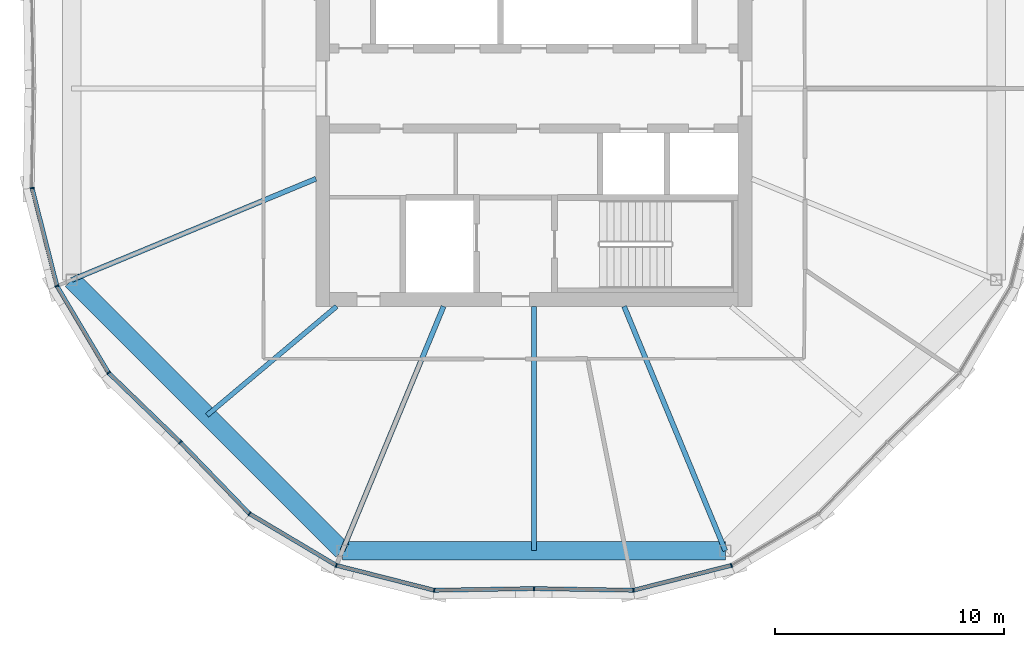
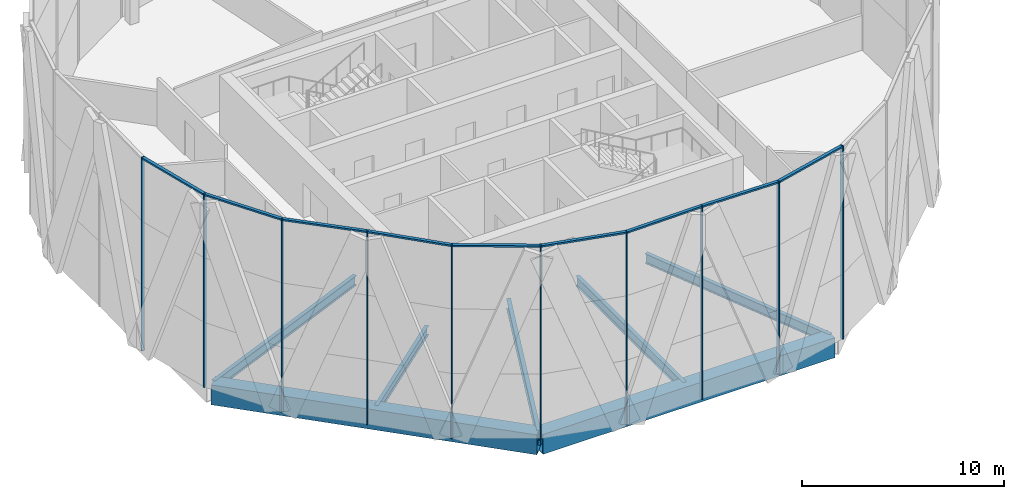
# One storey, part 3 of 23: 19 members, 7 beams, 3 elements without a shape of their own.
"""IFC4 building model written with IfcOpenShell, lengths in metres."""

from ifc_helpers import new_model, si_unit, direction, frame, origin, origin_2d, place, context, subcontext, project, spatial, rectangle, hollow_rectangle, i_section, extrude, material, material_profile, profile_set, type_object, element, aggregate, save


model = new_model("IFC4")

# Units and contexts
model_context = context("Model", 3, precision=1e-05, world=origin(), true_north=direction((0.0, 1.0)))
body_context = subcontext(model_context, "Body", "Model", "MODEL_VIEW")
ifc_project = project(units=[si_unit("LENGTHUNIT", "METRE"), si_unit("AREAUNIT", "SQUARE_METRE"), si_unit("VOLUMEUNIT", "CUBIC_METRE"), si_unit("PLANEANGLEUNIT", "RADIAN"), si_unit("MASSUNIT", "GRAM", prefix="KILO")], contexts=[model_context])

# Site, building, storey
site_placement = place(None, origin())
site = spatial("IfcSite", under=ifc_project, at=site_placement, CompositionType="ELEMENT")
building_placement = place(site_placement, origin())
building = spatial("IfcBuilding", under=site, at=building_placement, Name="Ogive Gate Towers", CompositionType="ELEMENT")
storey_placement = place(building_placement, frame((0.0, 0.0, 177.300048828125)))
storey = spatial("IfcBuildingStorey", under=building, at=storey_placement, Name="L42", CompositionType="ELEMENT", Elevation=177.300048828125)

# Beams
ifc_material_1 = material(Name="Steel SM460", Category="steel")
ifc_material_profile_1 = material_profile(ifc_material_1, hollow_rectangle(XDim=0.800048828125, YDim=1.199951171875, WallThickness=0.050048828125, at=origin_2d()), Name="BX 1200x800x50")
ifc_profile_set_1 = profile_set([ifc_material_profile_1], Name="Steel SM460")
beam_type_1 = type_object("IfcBeamType", Name="Edge girder BX 1200x800x50", PredefinedType="BEAM", material=ifc_profile_set_1)
beam_1_placement = place(storey_placement, frame((-56.14990234375, -8.346435546875, -0.900146484375), z_axis=(0.707106781187, -0.707106781187, 0.0), x_axis=(0.707106781187, 0.707106781187, 0.0)))
element("IfcBeam", 1, at=beam_1_placement, inside=storey, type_object=beam_type_1, Name="T1/L42/SBM017", PredefinedType="BEAM", context=body_context, shape_type="SweptSolid", body=[
    extrude(hollow_rectangle(XDim=0.800048828125, YDim=1.199951171875, WallThickness=0.050048828125, at=origin_2d()), origin(), (0.0, 0.0, 1.0), 16.692626953125),
])
beam_2_placement = place(storey_placement, frame((-44.346435546875, -20.14990234375, -0.900146484375), z_axis=(1.0, 0.0, 0.0), x_axis=(0.0, 1.0, 0.0)))
element("IfcBeam", 2, at=beam_2_placement, inside=storey, type_object=beam_type_1, Name="T1/L42/SBM018", PredefinedType="BEAM", context=body_context, shape_type="SweptSolid", body=[
    extrude(hollow_rectangle(XDim=0.800048828125, YDim=1.199951171875, WallThickness=0.050048828125, at=origin_2d()), origin(), (0.0, 0.0, 1.0), 16.69287109375),
])
ifc_material_2 = material(Name="Steel SM355", Category="steel")
ifc_material_profile_2 = material_profile(ifc_material_2, i_section(OverallWidth=0.2099609375, OverallDepth=0.550048828125, WebThickness=0.010986328125, FlangeThickness=0.01708984375, FilletRadius=0.02392578125, at=origin_2d()), Name="IPE 550")
ifc_profile_set_2 = profile_set([ifc_material_profile_2], Name="Steel SM355")
beam_type_2 = type_object("IfcBeamType", Name="Radial floor beam IPE 550", PredefinedType="BEAM", material=ifc_profile_set_2)
beam_3_placement = place(storey_placement, frame((-44.60009765625, -9.5, -0.574951171875), z_axis=(-0.76545320234, -0.643491565622, 0.0), x_axis=(0.643491565622, -0.76545320234, 0.0)))
element("IfcBeam", 3, at=beam_3_placement, inside=storey, type_object=beam_type_2, Name="T1/L42/SBM002", PredefinedType="BEAM", context=body_context, shape_type="SweptSolid", body=[
    extrude(i_section(OverallWidth=0.2099609375, OverallDepth=0.550048828125, WebThickness=0.010986328125, FlangeThickness=0.01708984375, FilletRadius=0.02392578125, at=origin_2d()), origin(), (0.0, 0.0, 1.0), 7.378662109375),
])
ifc_material_profile_3 = material_profile(ifc_material_2, i_section(OverallWidth=0.219970703125, OverallDepth=0.60009765625, WebThickness=0.011962890625, FlangeThickness=0.01904296875, FilletRadius=0.02392578125, at=origin_2d()), Name="IPE 600")
ifc_profile_set_3 = profile_set([ifc_material_profile_3], Name="Steel SM355")
beam_type_3 = type_object("IfcBeamType", Name="Radial floor beam IPE 600", PredefinedType="BEAM", material=ifc_profile_set_3)
for number, where, z_axis, x_axis, name in (
    (4, (-45.5, -3.93505859375, -0.60009765625), (-0.923878214756, -0.382686613691, 0.0), (0.382686613691, -0.923878214756, 0.0), "T1/L42/SBM001"),
    (5, (-39.93505859375, -9.5, -0.60009765625), (-0.382686613691, -0.923878214756, 0.0), (0.923878214756, -0.382686613691, 0.0), "T1/L42/SBM003"),
):
    element("IfcBeam", number, at=place(storey_placement, frame(where, z_axis=z_axis, x_axis=x_axis)), inside=storey, type_object=beam_type_3, Name=name, PredefinedType="BEAM", context=body_context, shape_type="SweptSolid", body=[
        extrude(i_section(OverallWidth=0.219970703125, OverallDepth=0.60009765625, WebThickness=0.011962890625, FlangeThickness=0.01904296875, FilletRadius=0.02392578125, at=origin_2d()), origin(), (0.0, 0.0, 1.0), 11.52734375),
    ])
beam_4_placement = place(storey_placement, frame((-36.0, -9.5, -0.60009765625), z_axis=(0.0, -1.0, 0.0), x_axis=(1.0, 0.0, 0.0)))
element("IfcBeam", 6, at=beam_4_placement, inside=storey, type_object=beam_type_3, Name="T1/L42/SBM004", PredefinedType="BEAM", context=body_context, shape_type="SweptSolid", body=[
    extrude(i_section(OverallWidth=0.219970703125, OverallDepth=0.60009765625, WebThickness=0.011962890625, FlangeThickness=0.01904296875, FilletRadius=0.02392578125, at=origin_2d()), origin(), (0.0, 0.0, 1.0), 10.64990234375),
])
beam_5_placement = place(storey_placement, frame((-32.06494140625, -9.5, -0.60009765625), z_axis=(0.382686613691, -0.923878214756, 0.0), x_axis=(0.923878214756, 0.382686613691, 0.0)))
element("IfcBeam", 7, at=beam_5_placement, inside=storey, type_object=beam_type_3, Name="T1/L42/SBM005", PredefinedType="BEAM", context=body_context, shape_type="SweptSolid", body=[
    extrude(i_section(OverallWidth=0.219970703125, OverallDepth=0.60009765625, WebThickness=0.011962890625, FlangeThickness=0.01904296875, FilletRadius=0.02392578125, at=origin_2d()), origin(), (0.0, 0.0, 1.0), 11.52734375),
])

# Curtain wall, members
ifc_material_3 = material(Name="Pale metal aluminium", Category="aluminium")
curtain_wall_type = type_object("IfcCurtainWallType", Name="Tower unitised wall, high zone", PredefinedType="NOTDEFINED", material=ifc_material_3)
curtain_wall_1_placement = place(storey_placement, origin())
curtain_wall_1 = element("IfcCurtainWall", 8, at=curtain_wall_1_placement, inside=storey, type_object=curtain_wall_type, Name="CW2 T1 ECW05", PredefinedType="NOTDEFINED")
ifc_material_profile_4 = material_profile(ifc_material_3, rectangle(XDim=0.179931640625, YDim=0.06005859375, at=origin_2d()), Name="60 x 180 aluminium box")
ifc_profile_set_4 = profile_set([ifc_material_profile_4], Name="Pale metal aluminium")
member_type_1 = type_object("IfcMemberType", Name="Tower unitised wall, high zone mullion 60 x 180", PredefinedType="MULLION", material=ifc_profile_set_4)
member_1_placement = place(storey_placement, frame((-57.87353515625, -4.343505859375, -0.300048828125), z_axis=(0.0, 0.0, 1.0), x_axis=(-0.993272085779, -0.115803987891, 0.0)))
member_1 = element("IfcMember", 9, at=member_1_placement, type_object=member_type_1, Name="CW2 mullion", PredefinedType="MULLION", context=body_context, shape_type="SweptSolid", body=[
    extrude(rectangle(XDim=0.179931640625, YDim=0.06005859375, at=origin_2d()), origin(), (0.0, 0.0, 1.0), 11.699951171875),
])
member_2_placement = place(storey_placement, frame((-56.788330078125, -8.61083984375, -0.300048828125), z_axis=(0.0, 0.0, 1.0), x_axis=(-0.923879532511, -0.382683432365, 0.0)))
member_2 = element("IfcMember", 10, at=member_2_placement, type_object=member_type_1, Name="CW2 mullion", PredefinedType="MULLION", context=body_context, shape_type="SweptSolid", body=[
    extrude(rectangle(XDim=0.179931640625, YDim=0.06005859375, at=origin_2d()), origin(), (0.0, 0.0, 1.0), 11.699951171875),
])
member_3_placement = place(storey_placement, frame((-54.538330078125, -12.3955078125, -0.300048828125), z_axis=(0.0, 0.0, 1.0), x_axis=(-0.784235212544, -0.620463642292, 0.0)))
member_3 = element("IfcMember", 11, at=member_3_placement, type_object=member_type_1, Name="CW2 mullion", PredefinedType="MULLION", context=body_context, shape_type="SweptSolid", body=[
    extrude(rectangle(XDim=0.179931640625, YDim=0.06005859375, at=origin_2d()), origin(), (0.0, 0.0, 1.0), 11.699951171875),
])
member_4_placement = place(storey_placement, frame((-51.4150390625, -15.414794921875, -0.300048828125), z_axis=(0.0, 0.0, 1.0), x_axis=(-0.69504746905, -0.71896384872, 0.0)))
member_4 = element("IfcMember", 12, at=member_4_placement, type_object=member_type_1, Name="CW2 mullion", PredefinedType="MULLION", context=body_context, shape_type="SweptSolid", body=[
    extrude(rectangle(XDim=0.179931640625, YDim=0.06005859375, at=origin_2d()), origin(), (0.0, 0.0, 1.0), 11.699951171875),
])

curtain_wall_2_placement = place(storey_placement, origin())
curtain_wall_2 = element("IfcCurtainWall", 13, at=curtain_wall_2_placement, inside=storey, type_object=curtain_wall_type, Name="CW2 T1 ECW06", PredefinedType="NOTDEFINED")
member_5_placement = place(storey_placement, frame((-48.3955078125, -18.538330078125, -0.300048828125), z_axis=(0.0, 0.0, 1.0), x_axis=(-0.620463642292, -0.784235212544, 0.0)))
member_5 = element("IfcMember", 14, at=member_5_placement, type_object=member_type_1, Name="CW2 mullion", PredefinedType="MULLION", context=body_context, shape_type="SweptSolid", body=[
    extrude(rectangle(XDim=0.179931640625, YDim=0.06005859375, at=origin_2d()), origin(), (0.0, 0.0, 1.0), 11.699951171875),
])
member_6_placement = place(storey_placement, frame((-44.61083984375, -20.788330078125, -0.300048828125), z_axis=(0.0, 0.0, 1.0), x_axis=(-0.382683432365, -0.923879532511, 0.0)))
member_6 = element("IfcMember", 15, at=member_6_placement, type_object=member_type_1, Name="CW2 mullion", PredefinedType="MULLION", context=body_context, shape_type="SweptSolid", body=[
    extrude(rectangle(XDim=0.179931640625, YDim=0.06005859375, at=origin_2d()), origin(), (0.0, 0.0, 1.0), 11.699951171875),
])
member_7_placement = place(storey_placement, frame((-40.343505859375, -21.87353515625, -0.300048828125), z_axis=(0.0, 0.0, 1.0), x_axis=(-0.115803987891, -0.993272085779, 0.0)))
member_7 = element("IfcMember", 16, at=member_7_placement, type_object=member_type_1, Name="CW2 mullion", PredefinedType="MULLION", context=body_context, shape_type="SweptSolid", body=[
    extrude(rectangle(XDim=0.179931640625, YDim=0.06005859375, at=origin_2d()), origin(), (0.0, 0.0, 1.0), 11.699951171875),
])
member_8_placement = place(storey_placement, frame((-36.000244140625, -21.800048828125, -0.300048828125), z_axis=(0.0, 0.0, 1.0), x_axis=(0.016911434246, -0.99985699147, 0.0)))
member_8 = element("IfcMember", 17, at=member_8_placement, type_object=member_type_1, Name="CW2 mullion", PredefinedType="MULLION", context=body_context, shape_type="SweptSolid", body=[
    extrude(rectangle(XDim=0.179931640625, YDim=0.06005859375, at=origin_2d()), origin(), (0.0, 0.0, 1.0), 11.699951171875),
])

curtain_wall_3_placement = place(storey_placement, origin())
curtain_wall_3 = element("IfcCurtainWall", 18, at=curtain_wall_3_placement, inside=storey, type_object=curtain_wall_type, Name="CW2 T1 ECW07", PredefinedType="NOTDEFINED")
member_9_placement = place(storey_placement, frame((-31.656494140625, -21.87353515625, -0.300048828125), z_axis=(0.0, 0.0, 1.0), x_axis=(0.115803987891, -0.993272085779, 0.0)))
member_9 = element("IfcMember", 19, at=member_9_placement, type_object=member_type_1, Name="CW2 mullion", PredefinedType="MULLION", context=body_context, shape_type="SweptSolid", body=[
    extrude(rectangle(XDim=0.179931640625, YDim=0.06005859375, at=origin_2d()), origin(), (0.0, 0.0, 1.0), 11.699951171875),
])
member_10_placement = place(storey_placement, frame((-27.38916015625, -20.788330078125, -0.300048828125), z_axis=(0.0, 0.0, 1.0), x_axis=(0.382683432365, -0.923879532511, 0.0)))
member_10 = element("IfcMember", 20, at=member_10_placement, type_object=member_type_1, Name="CW2 mullion", PredefinedType="MULLION", context=body_context, shape_type="SweptSolid", body=[
    extrude(rectangle(XDim=0.179931640625, YDim=0.06005859375, at=origin_2d()), origin(), (0.0, 0.0, 1.0), 11.699951171875),
])

# Member
ifc_material_profile_5 = material_profile(ifc_material_3, rectangle(XDim=0.179931640625, YDim=0.10009765625, at=origin_2d()), Name="100 x 180 aluminium box")
ifc_profile_set_5 = profile_set([ifc_material_profile_5], Name="Pale metal aluminium")
member_type_2 = type_object("IfcMemberType", Name="Tower unitised wall, high zone transom 100 x 180", PredefinedType="USERDEFINED", material=ifc_profile_set_5)
member_11_placement = place(storey_placement, frame((-57.866455078125, -4.37109375, 11.349853515625), z_axis=(0.246498942099, -0.969143060412, 0.0), x_axis=(0.969143060412, 0.246498942099, 0.0)))
member_11 = element("IfcMember", 21, at=member_11_placement, type_object=member_type_2, Name="CW2 transom", ObjectType="TRANSOM", PredefinedType="USERDEFINED", context=body_context, shape_type="SweptSolid", body=[
    extrude(rectangle(XDim=0.179931640625, YDim=0.10009765625, at=origin_2d()), origin(), (0.0, 0.0, 1.0), 4.345947265625),
])

member_12_placement = place(storey_placement, frame((-56.773681640625, -8.63525390625, 11.349853515625), z_axis=(0.511038375885, -0.859557897045, 0.0), x_axis=(0.859557897045, 0.511038375885, 0.0)))
member_12 = element("IfcMember", 22, at=member_12_placement, type_object=member_type_2, Name="CW2 transom", ObjectType="TRANSOM", PredefinedType="USERDEFINED", context=body_context, shape_type="SweptSolid", body=[
    extrude(rectangle(XDim=0.179931640625, YDim=0.10009765625, at=origin_2d()), origin(), (0.0, 0.0, 1.0), 4.345947265625),
])

member_13_placement = place(storey_placement, frame((-54.517578125, -12.41552734375, 11.349853515625), z_axis=(0.718969396477, -0.695041730351, 0.0), x_axis=(0.695041730351, 0.718969396477, 0.0)))
member_13 = element("IfcMember", 23, at=member_13_placement, type_object=member_type_2, Name="CW2 transom", ObjectType="TRANSOM", PredefinedType="USERDEFINED", context=body_context, shape_type="SweptSolid", body=[
    extrude(rectangle(XDim=0.179931640625, YDim=0.10009765625, at=origin_2d()), origin(), (0.0, 0.0, 1.0), 4.285400390625),
])

aggregate(curtain_wall_1, [member_1, member_2, member_11, member_3, member_12, member_4, member_13])

member_14_placement = place(storey_placement, frame((-51.39404296875, -15.4365234375, 11.349853515625), z_axis=(0.695041730351, -0.718969396477, 0.0), x_axis=(0.718969396477, 0.695041730351, 0.0)))
member_14 = element("IfcMember", 24, at=member_14_placement, type_object=member_type_2, Name="CW2 transom", ObjectType="TRANSOM", PredefinedType="USERDEFINED", context=body_context, shape_type="SweptSolid", body=[
    extrude(rectangle(XDim=0.179931640625, YDim=0.10009765625, at=origin_2d()), origin(), (0.0, 0.0, 1.0), 4.285400390625),
])

member_15_placement = place(storey_placement, frame((-48.370849609375, -18.552734375, 11.349853515625), z_axis=(0.859557897045, -0.511038375885, 0.0), x_axis=(0.511038375885, 0.859557897045, 0.0)))
member_15 = element("IfcMember", 25, at=member_15_placement, type_object=member_type_2, Name="CW2 transom", ObjectType="TRANSOM", PredefinedType="USERDEFINED", context=body_context, shape_type="SweptSolid", body=[
    extrude(rectangle(XDim=0.179931640625, YDim=0.10009765625, at=origin_2d()), origin(), (0.0, 0.0, 1.0), 4.345947265625),
])

member_16_placement = place(storey_placement, frame((-44.5830078125, -20.795166015625, 11.349853515625), z_axis=(0.969143060412, -0.246498942099, 0.0), x_axis=(0.246498942099, 0.969143060412, 0.0)))
member_16 = element("IfcMember", 26, at=member_16_placement, type_object=member_type_2, Name="CW2 transom", ObjectType="TRANSOM", PredefinedType="USERDEFINED", context=body_context, shape_type="SweptSolid", body=[
    extrude(rectangle(XDim=0.179931640625, YDim=0.10009765625, at=origin_2d()), origin(), (0.0, 0.0, 1.0), 4.345947265625),
])

member_17_placement = place(storey_placement, frame((-40.314697265625, -21.873046875, 11.349853515625), z_axis=(0.999856819171, 0.016921618058, 0.0), x_axis=(-0.016921618058, 0.999856819171, 0.0)))
member_17 = element("IfcMember", 27, at=member_17_placement, type_object=member_type_2, Name="CW2 transom", ObjectType="TRANSOM", PredefinedType="USERDEFINED", context=body_context, shape_type="SweptSolid", body=[
    extrude(rectangle(XDim=0.179931640625, YDim=0.10009765625, at=origin_2d()), origin(), (0.0, 0.0, 1.0), 4.28515625),
])

aggregate(curtain_wall_2, [member_5, member_14, member_6, member_15, member_7, member_16, member_8, member_17])

member_18_placement = place(storey_placement, frame((-35.9697265625, -21.800537109375, 11.349853515625), z_axis=(0.999856819171, -0.016921618058, 0.0), x_axis=(0.016921618058, 0.999856819171, 0.0)))
member_18 = element("IfcMember", 28, at=member_18_placement, type_object=member_type_2, Name="CW2 transom", ObjectType="TRANSOM", PredefinedType="USERDEFINED", context=body_context, shape_type="SweptSolid", body=[
    extrude(rectangle(XDim=0.179931640625, YDim=0.10009765625, at=origin_2d()), origin(), (0.0, 0.0, 1.0), 4.28515625),
])

member_19_placement = place(storey_placement, frame((-31.62890625, -21.866455078125, 11.349853515625), z_axis=(0.969143060412, 0.246498942099, 0.0), x_axis=(-0.246498942099, 0.969143060412, 0.0)))
member_19 = element("IfcMember", 29, at=member_19_placement, type_object=member_type_2, Name="CW2 transom", ObjectType="TRANSOM", PredefinedType="USERDEFINED", context=body_context, shape_type="SweptSolid", body=[
    extrude(rectangle(XDim=0.179931640625, YDim=0.10009765625, at=origin_2d()), origin(), (0.0, 0.0, 1.0), 4.345947265625),
])

aggregate(curtain_wall_3, [member_9, member_18, member_10, member_19])

save(model, "model.ifc")
